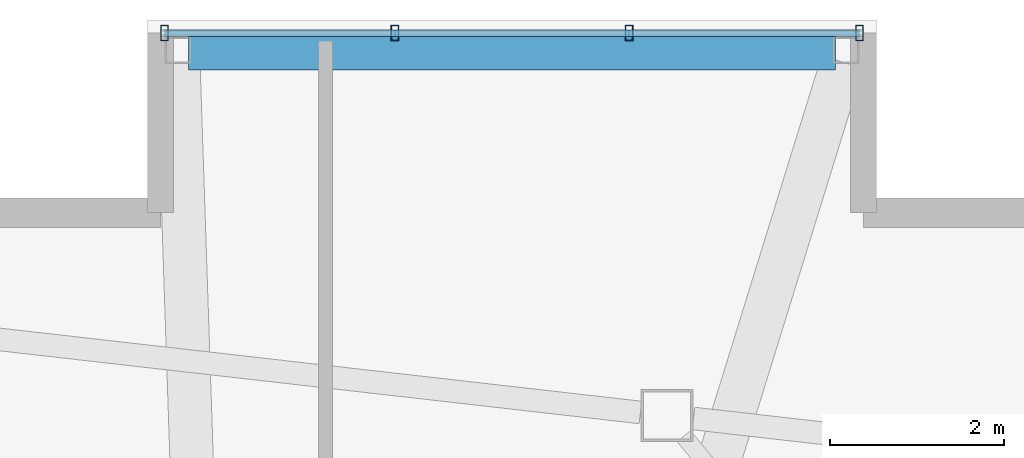
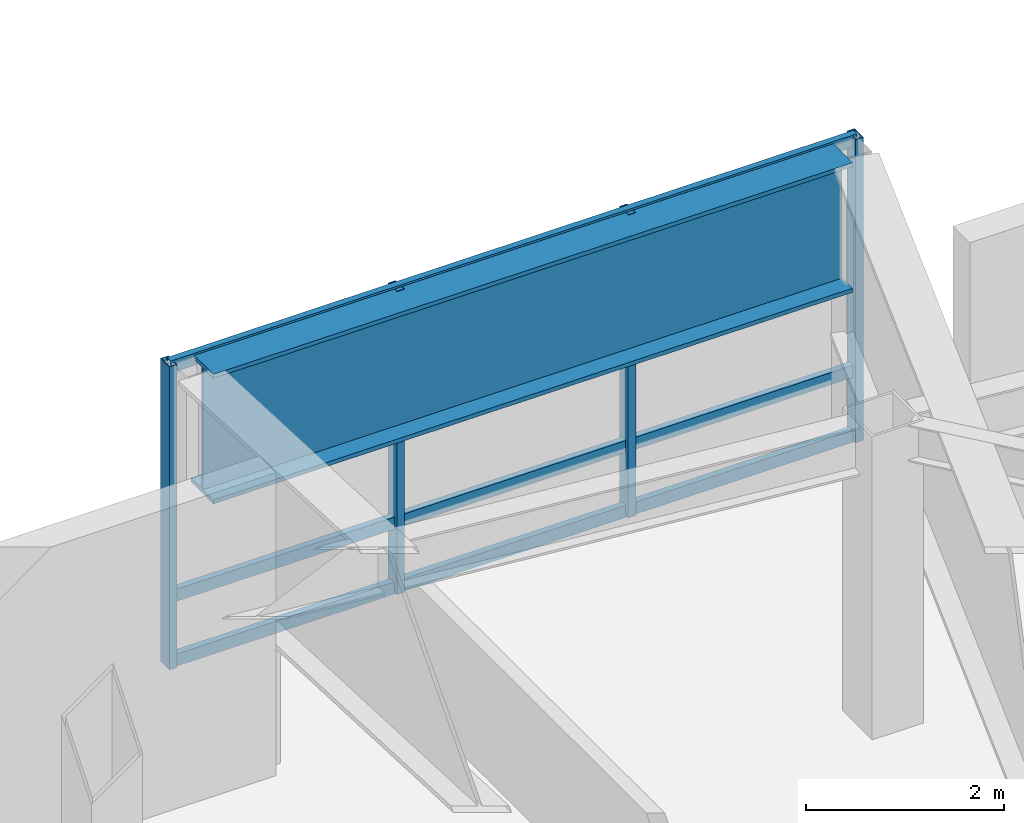
# One storey, part 10 of 20: 7 members, 1 beam, 1 element without a shape of its own.
"""IFC4 building model written with IfcOpenShell, lengths in metres."""

from ifc_helpers import new_model, si_unit, direction, frame, origin, origin_2d, place, context, subcontext, project, spatial, hollow_rectangle, i_section, extrude, material, layer, layer_set, material_profile, profile_set, type_object, element, aggregate, save


model = new_model("IFC4")

# Units and contexts
model_context = context("Model", 3, precision=1e-05, world=origin(), true_north=direction((0.0, 1.0)))
body_context = subcontext(model_context, "Body", "Model", "MODEL_VIEW")
ifc_project = project(units=[si_unit("LENGTHUNIT", "METRE"), si_unit("AREAUNIT", "SQUARE_METRE"), si_unit("VOLUMEUNIT", "CUBIC_METRE"), si_unit("PLANEANGLEUNIT", "RADIAN"), si_unit("MASSUNIT", "GRAM", prefix="KILO")], contexts=[model_context])

# Site, building, storey
site_placement = place(None, origin())
site = spatial("IfcSite", under=ifc_project, at=site_placement, CompositionType="ELEMENT")
building_placement = place(site_placement, origin())
building = spatial("IfcBuilding", under=site, at=building_placement, Name="Tavrogorsk Clinical Tower", CompositionType="ELEMENT")
storey_placement = place(building_placement, frame((0.0, 0.0, 176.199951171875)))
storey = spatial("IfcBuildingStorey", under=building, at=storey_placement, Name="L40", CompositionType="ELEMENT", Elevation=176.199951171875)

# Curtain wall, members
ifc_material_1 = material(Name="Anodised aluminium and triple IGU glazing", Category="aluminium")
ifc_layer = layer(ifc_material_1, 0.179931640625)
ifc_layer_set = layer_set([ifc_layer], Name="Anodised aluminium and triple IGU glazing")
curtain_wall_type = type_object("IfcCurtainWallType", Name="CW4_DayroomBox", PredefinedType="NOTDEFINED", material=ifc_layer_set)
curtain_wall_placement = place(storey_placement, origin())
curtain_wall = element("IfcCurtainWall", 1, at=curtain_wall_placement, inside=storey, type_object=curtain_wall_type, Name="L40 Curtain Wall CW-DRB-06-L40", PredefinedType="NOTDEFINED")
ifc_material_2 = material(Name="Anodised aluminium alloy AW-6060", Category="aluminium")
ifc_material_profile_1 = material_profile(ifc_material_2, hollow_rectangle(XDim=0.090087890625, YDim=0.179931640625, WallThickness=0.00634765625, at=origin_2d()), Name="RHS-180x90x6.3")
ifc_profile_set_1 = profile_set([ifc_material_profile_1], Name="Anodised aluminium alloy AW-6060")
member_type_1 = type_object("IfcMemberType", Name="CwMullion_180x90", PredefinedType="MULLION", material=ifc_profile_set_1)
member_1_placement = place(storey_placement, frame((9.39501953125, 29.0, 0.0), z_axis=(0.0, 0.0, 1.0), x_axis=(1.0, 0.0, 0.0)))
member_1 = element("IfcMember", 2, at=member_1_placement, type_object=member_type_1, Name="CW-DRB-06-L40 Mullion 1", PredefinedType="MULLION", context=body_context, shape_type="SweptSolid", body=[
    extrude(hollow_rectangle(XDim=0.090087890625, YDim=0.179931640625, WallThickness=0.00634765625, at=origin_2d()), origin(), (0.0, 0.0, 1.0), 3.739990234375),
])
member_2_placement = place(storey_placement, frame((12.050048828125, 29.0, 0.0), z_axis=(0.0, 0.0, 1.0), x_axis=(1.0, 0.0, 0.0)))
member_2 = element("IfcMember", 3, at=member_2_placement, type_object=member_type_1, Name="CW-DRB-06-L40 Mullion 2", PredefinedType="MULLION", context=body_context, shape_type="SweptSolid", body=[
    extrude(hollow_rectangle(XDim=0.090087890625, YDim=0.179931640625, WallThickness=0.00634765625, at=origin_2d()), origin(), (0.0, 0.0, 1.0), 3.739990234375),
])
member_3_placement = place(storey_placement, frame((14.75, 29.0, 0.0), z_axis=(0.0, 0.0, 1.0), x_axis=(1.0, 0.0, 0.0)))
member_3 = element("IfcMember", 4, at=member_3_placement, type_object=member_type_1, Name="CW-DRB-06-L40 Mullion 3", PredefinedType="MULLION", context=body_context, shape_type="SweptSolid", body=[
    extrude(hollow_rectangle(XDim=0.090087890625, YDim=0.179931640625, WallThickness=0.00634765625, at=origin_2d()), origin(), (0.0, 0.0, 1.0), 3.739990234375),
])
member_4_placement = place(storey_placement, frame((17.405029296875, 29.0, 0.0), z_axis=(0.0, 0.0, 1.0), x_axis=(1.0, 0.0, 0.0)))
member_4 = element("IfcMember", 5, at=member_4_placement, type_object=member_type_1, Name="CW-DRB-06-L40 Mullion 4", PredefinedType="MULLION", context=body_context, shape_type="SweptSolid", body=[
    extrude(hollow_rectangle(XDim=0.090087890625, YDim=0.179931640625, WallThickness=0.00634765625, at=origin_2d()), origin(), (0.0, 0.0, 1.0), 3.739990234375),
])
ifc_material_3 = material(Name="Anodised aluminium alloy AW-6060", Category="aluminium")
ifc_material_profile_2 = material_profile(ifc_material_3, hollow_rectangle(XDim=0.074951171875, YDim=0.14990234375, WallThickness=0.0048828125, at=origin_2d()), Name="RHS-150x75x5")
ifc_profile_set_2 = profile_set([ifc_material_profile_2], Name="Anodised aluminium alloy AW-6060")
member_type_2 = type_object("IfcMemberType", Name="CwTransom_150x75", PredefinedType="USERDEFINED", material=ifc_profile_set_2)
member_5_placement = place(storey_placement, frame((9.39501953125, 29.0, 0.050048828125), z_axis=(1.0, 0.0, 0.0), x_axis=(0.0, 1.0, 0.0)))
member_5 = element("IfcMember", 6, at=member_5_placement, type_object=member_type_2, Name="CW-DRB-06-L40 Transom 1", ObjectType="TRANSOM", PredefinedType="USERDEFINED", context=body_context, shape_type="SweptSolid", body=[
    extrude(hollow_rectangle(XDim=0.074951171875, YDim=0.14990234375, WallThickness=0.0048828125, at=origin_2d()), origin(), (0.0, 0.0, 1.0), 8.010009765625),
])
member_6_placement = place(storey_placement, frame((9.39501953125, 29.0, 0.85009765625), z_axis=(1.0, 0.0, 0.0), x_axis=(0.0, 1.0, 0.0)))
member_6 = element("IfcMember", 7, at=member_6_placement, type_object=member_type_2, Name="CW-DRB-06-L40 Transom 2", ObjectType="TRANSOM", PredefinedType="USERDEFINED", context=body_context, shape_type="SweptSolid", body=[
    extrude(hollow_rectangle(XDim=0.074951171875, YDim=0.14990234375, WallThickness=0.0048828125, at=origin_2d()), origin(), (0.0, 0.0, 1.0), 8.010009765625),
])
member_7_placement = place(storey_placement, frame((9.39501953125, 29.0, 3.68994140625), z_axis=(1.0, 0.0, 0.0), x_axis=(0.0, 1.0, 0.0)))
member_7 = element("IfcMember", 8, at=member_7_placement, type_object=member_type_2, Name="CW-DRB-06-L40 Transom 3", ObjectType="TRANSOM", PredefinedType="USERDEFINED", context=body_context, shape_type="SweptSolid", body=[
    extrude(hollow_rectangle(XDim=0.074951171875, YDim=0.14990234375, WallThickness=0.0048828125, at=origin_2d()), origin(), (0.0, 0.0, 1.0), 8.010009765625),
])
aggregate(curtain_wall, [member_1, member_2, member_3, member_4, member_5, member_6, member_7])

# Beam
ifc_material_4 = material(Name="Structural steel S440", Category="steel")
ifc_material_profile_3 = material_profile(ifc_material_4, i_section(OverallWidth=0.449951171875, OverallDepth=1.60009765625, WebThickness=0.031982421875, FlangeThickness=0.050048828125, at=origin_2d()), Name="DK-1600x450x32x50")
ifc_profile_set_3 = profile_set([ifc_material_profile_3], Name="Structural steel S440")
beam_type = type_object("IfcBeamType", Name="TransferGirder_DK1600", PredefinedType="USERDEFINED", material=ifc_profile_set_3)
beam_placement = place(storey_placement, frame((9.669921875, 28.800048828125, 2.93994140625), z_axis=(1.0, 0.0, 0.0), x_axis=(0.0, 1.0, 0.0)))
element("IfcBeam", 9, at=beam_placement, inside=storey, type_object=beam_type, Name="L40 Day-Room Front Edge Beam DRB-06", ObjectType="GIRDER", PredefinedType="USERDEFINED", context=body_context, shape_type="SweptSolid", body=[
    extrude(i_section(OverallWidth=0.449951171875, OverallDepth=1.60009765625, WebThickness=0.031982421875, FlangeThickness=0.050048828125, at=origin_2d()), origin(), (0.0, 0.0, 1.0), 7.4599609375),
])

save(model, "model.ifc")
